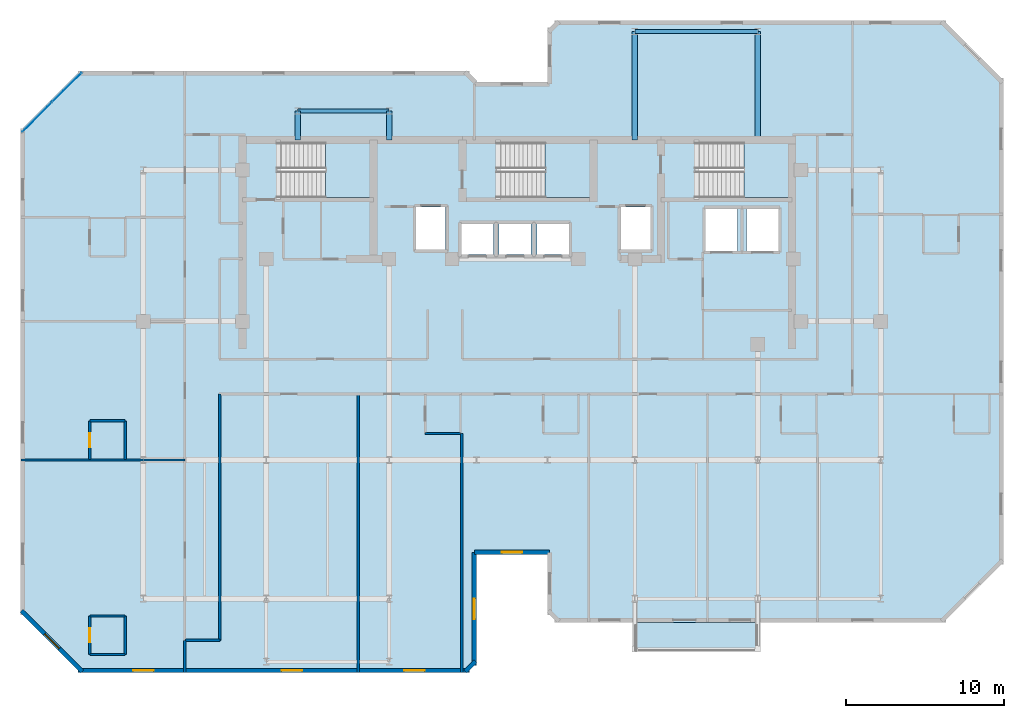
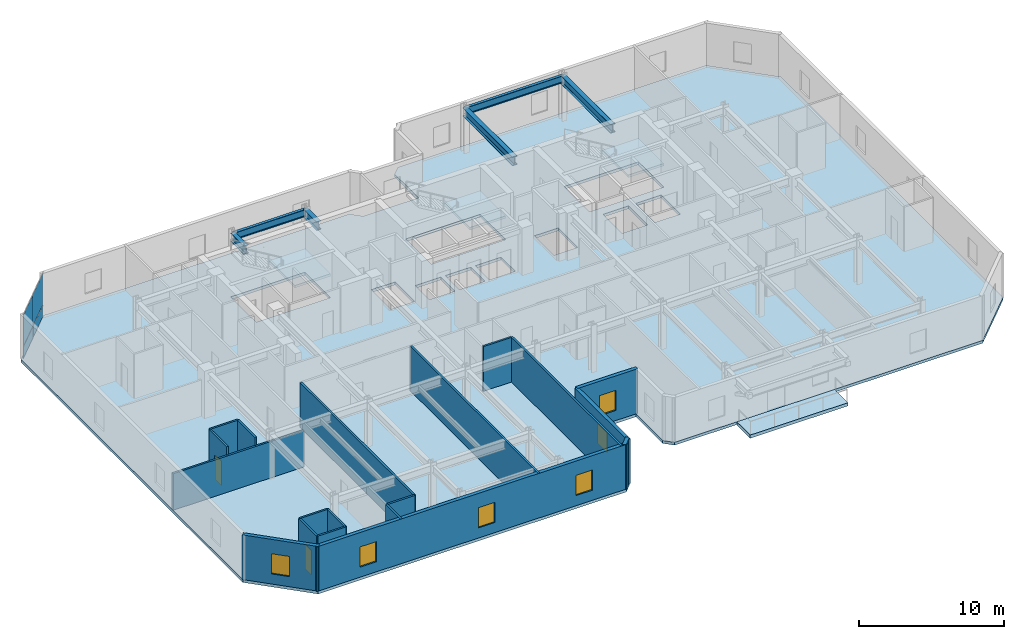
# One storey, part 3 of 11: 19 walls, 6 beams, 6 windows, 5 slabs, 4 plates, 2 doors, 8 openings, 4 elements without a shape of their own.
"""IFC4 building model written with IfcOpenShell, lengths in metres."""

from ifc_helpers import new_model, si_unit, direction, frame, frame_2d, origin, origin_2d, place, context, subcontext, project, spatial, polyline, rectangle, i_section, outline, extrude, material, layer, layer_set, material_profile, profile_set, type_object, element, fill, aggregate, save


model = new_model("IFC4")

# Units and contexts
model_context = context("Model", 3, precision=1e-05, world=origin(), true_north=direction((0.0, 1.0)))
body_context = subcontext(model_context, "Body", "Model", "MODEL_VIEW")
ifc_project = project(units=[si_unit("LENGTHUNIT", "METRE"), si_unit("AREAUNIT", "SQUARE_METRE"), si_unit("VOLUMEUNIT", "CUBIC_METRE"), si_unit("PLANEANGLEUNIT", "RADIAN"), si_unit("MASSUNIT", "GRAM", prefix="KILO")], contexts=[model_context])

# Site, building, storey
site_placement = place(None, origin())
site = spatial("IfcSite", under=ifc_project, at=site_placement, CompositionType="ELEMENT")
building_placement = place(site_placement, origin())
building = spatial("IfcBuilding", under=site, at=building_placement, Name="Kestravale Grand Hotel", CompositionType="ELEMENT")
storey_placement = place(building_placement, frame((0.0, 0.0, 265.39990234375)))
storey = spatial("IfcBuildingStorey", under=building, at=storey_placement, Name="L66", CompositionType="ELEMENT", Elevation=265.39990234375)

# Beams
ifc_material_1 = material(Name="Steel ASTM A992 Grade 50", Category="steel")
ifc_material_profile_1 = material_profile(ifc_material_1, i_section(OverallWidth=0.22900390625, OverallDepth=0.612060546875, WebThickness=0.011962890625, FlangeThickness=0.01953125, FilletRadius=0.019287109375, at=origin_2d()))
ifc_profile_set_1 = profile_set([ifc_material_profile_1], Name="Steel ASTM A992 Grade 50")
beam_type_1 = type_object("IfcBeamType", Name="B-FLR-W24B", PredefinedType="SPANDREL", material=ifc_profile_set_1)
beam_1_placement = place(storey_placement, frame((46.800048828125, 47.199951171875, 3.4541015625), z_axis=(1.0, 0.0, 0.0), x_axis=(0.0, 1.0, 0.0)))
element("IfcBeam", 1, at=beam_1_placement, inside=storey, type_object=beam_type_1, Name="L66 spandrel G:8-9", PredefinedType="SPANDREL", context=body_context, shape_type="SweptSolid", body=[
    extrude(i_section(OverallWidth=0.22900390625, OverallDepth=0.612060546875, WebThickness=0.011962890625, FlangeThickness=0.01953125, FilletRadius=0.019287109375, at=origin_2d()), origin(), (0.0, 0.0, 1.0), 7.800048828125),
])
beam_2_placement = place(storey_placement, frame((25.39990234375, 42.14990234375, 3.4541015625), z_axis=(1.0, 0.0, 0.0), x_axis=(0.0, 1.0, 0.0)))
element("IfcBeam", 2, at=beam_2_placement, inside=storey, type_object=beam_type_1, Name="L66 perimeter tie spandrel FN:4-5", PredefinedType="SPANDREL", context=body_context, shape_type="SweptSolid", body=[
    extrude(i_section(OverallWidth=0.22900390625, OverallDepth=0.612060546875, WebThickness=0.011962890625, FlangeThickness=0.01953125, FilletRadius=0.019287109375, at=origin_2d()), origin(), (0.0, 0.0, 1.0), 5.800048828125),
])
ifc_material_2 = material(Name="Steel ASTM A992 Grade 50", Category="steel")
ifc_material_profile_2 = material_profile(ifc_material_2, i_section(OverallWidth=0.35595703125, OverallDepth=0.696044921875, WebThickness=0.015380859375, FlangeThickness=0.02490234375, FilletRadius=0.021240234375, at=origin_2d()))
ifc_profile_set_2 = profile_set([ifc_material_profile_2], Name="Steel ASTM A992 Grade 50")
beam_type_2 = type_object("IfcBeamType", Name="B-GRD-W27", PredefinedType="BEAM", material=ifc_profile_set_2)
for number, where, z_axis, x_axis, name in (
    (3, (25.39990234375, 40.320068359375, 3.412109375), (0.0, 1.0, 0.0), (-1.0, 0.0, 0.0), "L66 north wing tie girder 4:CN-FN"),
    (4, (31.199951171875, 40.320068359375, 3.412109375), (0.0, 1.0, 0.0), (-1.0, 0.0, 0.0), "L66 north wing tie girder 5:CN-FN"),
):
    element("IfcBeam", number, at=place(storey_placement, frame(where, z_axis=z_axis, x_axis=x_axis)), inside=storey, type_object=beam_type_2, Name=name, PredefinedType="BEAM", context=body_context, shape_type="SweptSolid", body=[
        extrude(i_section(OverallWidth=0.35595703125, OverallDepth=0.696044921875, WebThickness=0.015380859375, FlangeThickness=0.02490234375, FilletRadius=0.021240234375, at=origin_2d()), origin(), (0.0, 0.0, 1.0), 1.829833984375),
    ])
for number, where, z_axis, x_axis, name in (
    (5, (46.800048828125, 40.320068359375, 3.412109375), (0.0, 1.0, 0.0), (-1.0, 0.0, 0.0), "L66 north wing tie girder 8:CN-G"),
    (6, (54.60009765625, 40.320068359375, 3.412109375), (0.0, 1.0, 0.0), (-1.0, 0.0, 0.0), "L66 north wing tie girder 9:CN-G"),
):
    element("IfcBeam", number, at=place(storey_placement, frame(where, z_axis=z_axis, x_axis=x_axis)), inside=storey, type_object=beam_type_2, Name=name, PredefinedType="BEAM", context=body_context, shape_type="SweptSolid", body=[
        extrude(i_section(OverallWidth=0.35595703125, OverallDepth=0.696044921875, WebThickness=0.015380859375, FlangeThickness=0.02490234375, FilletRadius=0.021240234375, at=origin_2d()), origin(), (0.0, 0.0, 1.0), 6.8798828125),
    ])

# Curtain wall, plates
ifc_material_3 = material(Name="Thermally broken champagne-bronze aluminium and low-E glazing", Category="aluminium")
ifc_layer_1 = layer(ifc_material_3, 0.179931640625)
ifc_layer_set_1 = layer_set([ifc_layer_1], Name="CW-Z4")
curtain_wall_type = type_object("IfcCurtainWallType", Name="CW-Z4", PredefinedType="NOTDEFINED", material=ifc_layer_set_1)
curtain_wall_placement = place(storey_placement, origin())
curtain_wall = element("IfcCurtainWall", 7, at=curtain_wall_placement, inside=storey, type_object=curtain_wall_type, Name="L66 unitised curtain wall 18", PredefinedType="NOTDEFINED")
ifc_material_4 = material(Name="Insulated clear low-E double glazing IGU", Category="glass")
ifc_layer_2 = layer(ifc_material_4, 0.028076171875)
ifc_layer_set_2 = layer_set([ifc_layer_2], Name="CW-PNL-28")
plate_type = type_object("IfcPlateType", Name="CW-PNL-28", PredefinedType="CURTAIN_PANEL", material=ifc_layer_set_2)
plate_1_placement = place(storey_placement, frame((10.74462890625, 43.646728515625, 0.06494140625), z_axis=(0.0, 0.0, 1.0), x_axis=(-0.707106781187, -0.707106781187, 0.0)))
plate_1 = element("IfcPlate", 8, at=plate_1_placement, type_object=plate_type, Name="CW-Z4 panel 1.1", PredefinedType="CURTAIN_PANEL", context=body_context, shape_type="SweptSolid", body=[
    extrude(rectangle(XDim=2.609619140625, YDim=0.028076171875, at=origin_2d()), origin(), (0.0, 0.0, 1.0), 0.952392578125),
])
plate_2_placement = place(storey_placement, frame((10.74462890625, 43.646728515625, 1.08251953125), z_axis=(0.0, 0.0, 1.0), x_axis=(-0.707106781187, -0.707106781187, 0.0)))
plate_2 = element("IfcPlate", 9, at=plate_2_placement, type_object=plate_type, Name="CW-Z4 panel 1.2", PredefinedType="CURTAIN_PANEL", context=body_context, shape_type="SweptSolid", body=[
    extrude(rectangle(XDim=2.609619140625, YDim=0.028076171875, at=origin_2d()), origin(), (0.0, 0.0, 1.0), 2.612548828125),
])
plate_3_placement = place(storey_placement, frame((8.853271484375, 41.75537109375, 0.06494140625), z_axis=(0.0, 0.0, 1.0), x_axis=(-0.707106781187, -0.707106781187, 0.0)))
plate_3 = element("IfcPlate", 10, at=plate_3_placement, type_object=plate_type, Name="CW-Z4 panel 2.1", PredefinedType="CURTAIN_PANEL", context=body_context, shape_type="SweptSolid", body=[
    extrude(rectangle(XDim=2.609619140625, YDim=0.028076171875, at=origin_2d()), origin(), (0.0, 0.0, 1.0), 0.952392578125),
])
plate_4_placement = place(storey_placement, frame((8.853271484375, 41.75537109375, 1.08251953125), z_axis=(0.0, 0.0, 1.0), x_axis=(-0.707106781187, -0.707106781187, 0.0)))
plate_4 = element("IfcPlate", 11, at=plate_4_placement, type_object=plate_type, Name="CW-Z4 panel 2.2", PredefinedType="CURTAIN_PANEL", context=body_context, shape_type="SweptSolid", body=[
    extrude(rectangle(XDim=2.609619140625, YDim=0.028076171875, at=origin_2d()), origin(), (0.0, 0.0, 1.0), 2.612548828125),
])
aggregate(curtain_wall, [plate_1, plate_2, plate_3, plate_4])

# Slab
ifc_material_5 = material(Name="Concrete f'c 45 MPa", Category="concrete")
ifc_layer_3 = layer(ifc_material_5, 0.27001953125)
ifc_layer_set_3 = layer_set([ifc_layer_3], Name="ES-TERR-270")
slab_type_1 = type_object("IfcSlabType", Name="ES-TERR-270", PredefinedType="FLOOR", material=ifc_layer_set_3)
slab_1_placement = place(storey_placement, frame((0.0, 0.0, -0.27001953125)))
element("IfcSlab", 12, at=slab_1_placement, inside=storey, type_object=slab_type_1, Name="L66 spiralling planted garden terrace", PredefinedType="FLOOR", context=body_context, shape_type="SweptSolid", body=[
    extrude(outline(polyline([(46.800048828125, 7.85009765625), (54.60009765625, 7.85009765625), (54.60009765625, 9.699951171875), (46.800048828125, 9.699951171875), (46.800048828125, 7.85009765625)])), origin(), (0.0, 0.0, 1.0), 0.27001953125),
])

# Stair, slab
ifc_material_6 = material(Name="Concrete f'c 45 MPa", Category="concrete")
stair_type = type_object("IfcStairType", Name="ST-CORE-400", PredefinedType="HALF_TURN_STAIR", material=ifc_material_6)
stair_1_placement = place(storey_placement, origin())
stair_1 = element("IfcStair", 13, at=stair_1_placement, inside=storey, type_object=stair_type, Name="L66 ST-1", PredefinedType="HALF_TURN_STAIR")
ifc_material_7 = material(Name="Concrete f'c 45 MPa", Category="concrete")
ifc_layer_4 = layer(ifc_material_7, 0.199951171875)
ifc_layer_set_4 = layer_set([ifc_layer_4], Name="SLB-ST-LND200")
slab_type_2 = type_object("IfcSlabType", Name="SLB-ST-LND200", PredefinedType="LANDING", material=ifc_layer_set_4)
slab_2_placement = place(storey_placement, frame((0.0, 0.0, 1.800048828125)))
slab_2 = element("IfcSlab", 14, at=slab_2_placement, type_object=slab_type_2, Name="ST-1 landing 1", PredefinedType="LANDING", context=body_context, shape_type="SweptSolid", body=[
    extrude(outline(polyline([(27.159912109375, 36.64990234375), (30.0, 36.64990234375), (30.0, 40.159912109375), (27.159912109375, 40.159912109375), (27.159912109375, 36.64990234375)])), origin(), (0.0, 0.0, 1.0), 0.199951171875),
])
aggregate(stair_1, [slab_2])

stair_2_placement = place(storey_placement, origin())
stair_2 = element("IfcStair", 15, at=stair_2_placement, inside=storey, type_object=stair_type, Name="L66 ST-2", PredefinedType="HALF_TURN_STAIR")
slab_3_placement = place(storey_placement, frame((0.0, 0.0, 1.800048828125)))
slab_3 = element("IfcSlab", 16, at=slab_3_placement, type_object=slab_type_2, Name="ST-2 landing 1", PredefinedType="LANDING", context=body_context, shape_type="SweptSolid", body=[
    extrude(outline(polyline([(41.110107421875, 36.64990234375), (43.949951171875, 36.64990234375), (43.949951171875, 40.159912109375), (41.110107421875, 40.159912109375), (41.110107421875, 36.64990234375)])), origin(), (0.0, 0.0, 1.0), 0.199951171875),
])
aggregate(stair_2, [slab_3])

stair_3_placement = place(storey_placement, origin())
stair_3 = element("IfcStair", 17, at=stair_3_placement, inside=storey, type_object=stair_type, Name="L66 ST-3", PredefinedType="HALF_TURN_STAIR")
slab_4_placement = place(storey_placement, frame((0.0, 0.0, 1.800048828125)))
slab_4 = element("IfcSlab", 18, at=slab_4_placement, type_object=slab_type_2, Name="ST-3 landing 1", PredefinedType="LANDING", context=body_context, shape_type="SweptSolid", body=[
    extrude(outline(polyline([(53.7099609375, 36.64990234375), (56.550048828125, 36.64990234375), (56.550048828125, 40.159912109375), (53.7099609375, 40.159912109375), (53.7099609375, 36.64990234375)])), origin(), (0.0, 0.0, 1.0), 0.199951171875),
])
aggregate(stair_3, [slab_4])

# Slab
ifc_material_8 = material(Name="Concrete f'c 45 MPa", Category="concrete")
ifc_layer_5 = layer(ifc_material_8, 0.239990234375)
ifc_layer_set_5 = layer_set([ifc_layer_5], Name="SS-FLR-240")
slab_type_3 = type_object("IfcSlabType", Name="SS-FLR-240", PredefinedType="FLOOR", material=ifc_layer_set_5)
slab_5_placement = place(storey_placement, frame((0.0, 0.0, -0.239990234375)))
element("IfcSlab", 19, at=slab_5_placement, inside=storey, type_object=slab_type_3, Name="L66 structural floor slab", PredefinedType="FLOOR", context=body_context, shape_type="SweptSolid", body=[
    extrude(outline(polyline([(11.60009765625, 6.5), (36.14990234375, 6.5), (36.75, 7.10009765625), (36.75, 14.0), (41.25, 14.0), (41.25, 10.300048828125), (41.85009765625, 9.699951171875), (66.39990234375, 9.699951171875), (70.199951171875, 13.5), (70.199951171875, 44.10009765625), (66.39990234375, 47.89990234375), (41.85009765625, 47.89990234375), (41.25, 47.300048828125), (41.25, 44.0), (36.75, 44.0), (36.75, 44.10009765625), (36.14990234375, 44.699951171875), (11.60009765625, 44.699951171875), (7.800048828125, 40.89990234375), (7.800048828125, 10.300048828125), (11.60009765625, 6.5)]), holes=[polyline([(24.080078125, 36.64990234375), (30.0, 36.64990234375), (30.0, 40.159912109375), (24.080078125, 40.159912109375), (24.080078125, 36.64990234375)]), polyline([(38.030029296875, 36.64990234375), (43.949951171875, 36.64990234375), (43.949951171875, 40.159912109375), (38.030029296875, 40.159912109375), (38.030029296875, 36.64990234375)]), polyline([(50.6298828125, 36.64990234375), (56.550048828125, 36.64990234375), (56.550048828125, 40.159912109375), (50.6298828125, 40.159912109375), (50.6298828125, 36.64990234375)]), polyline([(35.780029296875, 33.030029296875), (37.820068359375, 33.030029296875), (37.820068359375, 34.969970703125), (35.780029296875, 34.969970703125), (35.780029296875, 33.030029296875)]), polyline([(38.179931640625, 33.030029296875), (40.219970703125, 33.030029296875), (40.219970703125, 34.969970703125), (38.179931640625, 34.969970703125), (38.179931640625, 33.030029296875)]), polyline([(40.580078125, 33.030029296875), (42.6201171875, 33.030029296875), (42.6201171875, 34.969970703125), (40.580078125, 34.969970703125), (40.580078125, 33.030029296875)]), polyline([(32.905029296875, 33.35498046875), (34.794921875, 33.35498046875), (34.794921875, 36.044921875), (32.905029296875, 36.044921875), (32.905029296875, 33.35498046875)]), polyline([(45.905029296875, 33.35498046875), (47.794921875, 33.35498046875), (47.794921875, 36.044921875), (45.905029296875, 36.044921875), (45.905029296875, 33.35498046875)]), polyline([(51.280029296875, 33.280029296875), (53.320068359375, 33.280029296875), (53.320068359375, 35.919921875), (51.280029296875, 35.919921875), (51.280029296875, 33.280029296875)]), polyline([(53.8798828125, 33.280029296875), (55.919921875, 33.280029296875), (55.919921875, 35.919921875), (53.8798828125, 35.919921875), (53.8798828125, 33.280029296875)])]), origin(), (0.0, 0.0, 1.0), 0.239990234375),
])

# Wall, openings, windows
ifc_material_9 = material(Name="Precast concrete f'c 45 MPa", Category="concrete")
ifc_layer_6 = layer(ifc_material_9, 0.280029296875)
ifc_layer_set_6 = layer_set([ifc_layer_6], Name="EW-PREC-280")
wall_type_1 = type_object("IfcWallType", Name="EW-PREC-280", PredefinedType="SOLIDWALL", material=ifc_layer_set_6)
wall_1_placement = place(storey_placement, frame((11.4599609375, 6.639892578125, 0.0), z_axis=(0.0, 0.0, 1.0), x_axis=(1.0, 0.0, 0.0)))
wall_1 = element("IfcWall", 20, at=wall_1_placement, inside=storey, type_object=wall_type_1, Name="L66 fluted precast facade wall 1", PredefinedType="SOLIDWALL", context=body_context, shape_type="SweptSolid", body=[
    extrude(rectangle(XDim=24.830078125, YDim=0.280029296875, at=frame_2d((12.4150390625, 0.0))), origin(), (0.0, 0.0, 1.0), 3.760009765625),
])
opening_1_placement = place(wall_1_placement, frame((3.48828125, 0.0, 0.85009765625)))
opening_1 = element("IfcOpeningElement", 21, at=opening_1_placement, cuts=wall_1, Name="Opening W-GUEST-1300", PredefinedType="OPENING", context=body_context, shape_type="SweptSolid", body=[
    extrude(rectangle(XDim=1.300048828125, YDim=1.699951171875, at=frame_2d((0.64990234375, 0.85009765625))), frame((0.0, 0.14990234375, 0.0), z_axis=(0.0, -1.0, 0.0), x_axis=(1.0, 0.0, 0.0)), (0.0, 0.0, 1.0), 0.300048828125),
])
opening_2_placement = place(wall_1_placement, frame((12.9150390625, 0.0, 0.85009765625)))
opening_2 = element("IfcOpeningElement", 22, at=opening_2_placement, cuts=wall_1, Name="Opening W-GUEST-1300", PredefinedType="OPENING", context=body_context, shape_type="SweptSolid", body=[
    extrude(rectangle(XDim=1.300048828125, YDim=1.699951171875, at=frame_2d((0.64990234375, 0.85009765625))), frame((0.0, 0.14990234375, 0.0), z_axis=(0.0, -1.0, 0.0), x_axis=(1.0, 0.0, 0.0)), (0.0, 0.0, 1.0), 0.300048828125),
])
opening_3_placement = place(wall_1_placement, frame((20.691650390625, 0.0, 0.85009765625)))
opening_3 = element("IfcOpeningElement", 23, at=opening_3_placement, cuts=wall_1, Name="Opening W-GUEST-1300", PredefinedType="OPENING", context=body_context, shape_type="SweptSolid", body=[
    extrude(rectangle(XDim=1.300048828125, YDim=1.699951171875, at=frame_2d((0.64990234375, 0.85009765625))), frame((0.0, 0.14990234375, 0.0), z_axis=(0.0, -1.0, 0.0), x_axis=(1.0, 0.0, 0.0)), (0.0, 0.0, 1.0), 0.300048828125),
])
ifc_material_10 = material(Name="Insulated low-E double glazing in aluminium frame", Category="aluminium")
window_type = type_object("IfcWindowType", Name="W-GUEST-1300", PartitioningType="SINGLE_PANEL", PredefinedType="WINDOW", material=ifc_material_10)
window_1_placement = place(opening_1_placement, origin())
window_1 = element("IfcWindow", 24, at=window_1_placement, inside=storey, type_object=window_type, Name="L66 exterior window 1.1", OverallHeight=1.699951171875, OverallWidth=1.300048828125, PartitioningType="SINGLE_PANEL", PredefinedType="WINDOW", context=body_context, shape_type="SweptSolid", body=[
    extrude(rectangle(XDim=1.300048828125, YDim=1.699951171875, at=frame_2d((0.64990234375, 0.85009765625))), frame((0.0, 0.030029296875, 0.0), z_axis=(0.0, -1.0, 0.0), x_axis=(1.0, 0.0, 0.0)), (0.0, 0.0, 1.0), 0.06005859375),
])
fill(opening_1, window_1)
window_2_placement = place(opening_2_placement, origin())
window_2 = element("IfcWindow", 25, at=window_2_placement, inside=storey, type_object=window_type, Name="L66 exterior window 1.2", OverallHeight=1.699951171875, OverallWidth=1.300048828125, PartitioningType="SINGLE_PANEL", PredefinedType="WINDOW", context=body_context, shape_type="SweptSolid", body=[
    extrude(rectangle(XDim=1.300048828125, YDim=1.699951171875, at=frame_2d((0.64990234375, 0.85009765625))), frame((0.0, 0.030029296875, 0.0), z_axis=(0.0, -1.0, 0.0), x_axis=(1.0, 0.0, 0.0)), (0.0, 0.0, 1.0), 0.06005859375),
])
fill(opening_2, window_2)
window_3_placement = place(opening_3_placement, origin())
window_3 = element("IfcWindow", 26, at=window_3_placement, inside=storey, type_object=window_type, Name="L66 exterior window 1.3", OverallHeight=1.699951171875, OverallWidth=1.300048828125, PartitioningType="SINGLE_PANEL", PredefinedType="WINDOW", context=body_context, shape_type="SweptSolid", body=[
    extrude(rectangle(XDim=1.300048828125, YDim=1.699951171875, at=frame_2d((0.64990234375, 0.85009765625))), frame((0.0, 0.030029296875, 0.0), z_axis=(0.0, -1.0, 0.0), x_axis=(1.0, 0.0, 0.0)), (0.0, 0.0, 1.0), 0.06005859375),
])
fill(opening_3, window_3)

# Wall
wall_2_placement = place(storey_placement, frame((36.022705078125, 6.57080078125, 0.0), z_axis=(0.0, 0.0, 1.0), x_axis=(0.707106781187, 0.707106781187, 0.0)))
element("IfcWall", 27, at=wall_2_placement, inside=storey, type_object=wall_type_1, Name="L66 fluted precast facade wall 2", PredefinedType="SOLIDWALL", context=body_context, shape_type="SweptSolid", body=[
    extrude(rectangle(XDim=0.928466796875, YDim=0.280029296875, at=frame_2d((0.46435546875, 0.0))), origin(), (0.0, 0.0, 1.0), 3.760009765625),
])

# Wall, opening, window
wall_3_placement = place(storey_placement, frame((36.610107421875, 6.9599609375, 0.0), z_axis=(0.0, 0.0, 1.0), x_axis=(0.0, 1.0, 0.0)))
wall_3 = element("IfcWall", 28, at=wall_3_placement, inside=storey, type_object=wall_type_1, Name="L66 fluted precast facade wall 3", PredefinedType="SOLIDWALL", context=body_context, shape_type="SweptSolid", body=[
    extrude(rectangle(XDim=7.179931640625, YDim=0.280029296875, at=frame_2d((3.58984375, 0.0))), origin(), (0.0, 0.0, 1.0), 3.760009765625),
])
opening_4_placement = place(wall_3_placement, frame((2.93994140625, 0.0, 0.85009765625)))
opening_4 = element("IfcOpeningElement", 29, at=opening_4_placement, cuts=wall_3, Name="Opening W-GUEST-1300", PredefinedType="OPENING", context=body_context, shape_type="SweptSolid", body=[
    extrude(rectangle(XDim=1.300048828125, YDim=1.699951171875, at=frame_2d((0.64990234375, 0.85009765625))), frame((0.0, 0.14990234375, 0.0), z_axis=(0.0, -1.0, 0.0), x_axis=(1.0, 0.0, 0.0)), (0.0, 0.0, 1.0), 0.300048828125),
])
window_4_placement = place(opening_4_placement, origin())
window_4 = element("IfcWindow", 30, at=window_4_placement, inside=storey, type_object=window_type, Name="L66 exterior window 3.1", OverallHeight=1.699951171875, OverallWidth=1.300048828125, PartitioningType="SINGLE_PANEL", PredefinedType="WINDOW", context=body_context, shape_type="SweptSolid", body=[
    extrude(rectangle(XDim=1.300048828125, YDim=1.699951171875, at=frame_2d((0.64990234375, 0.85009765625))), frame((0.0, 0.030029296875, 0.0), z_axis=(0.0, -1.0, 0.0), x_axis=(1.0, 0.0, 0.0)), (0.0, 0.0, 1.0), 0.06005859375),
])
fill(opening_4, window_4)

wall_4_placement = place(storey_placement, frame((36.610107421875, 14.139892578125, 0.0), z_axis=(0.0, 0.0, 1.0), x_axis=(1.0, 0.0, 0.0)))
wall_4 = element("IfcWall", 31, at=wall_4_placement, inside=storey, type_object=wall_type_1, Name="L66 fluted precast facade wall 4", PredefinedType="SOLIDWALL", context=body_context, shape_type="SweptSolid", body=[
    extrude(rectangle(XDim=4.77978515625, YDim=0.280029296875, at=frame_2d((2.389892578125, 0.0))), origin(), (0.0, 0.0, 1.0), 3.760009765625),
])
opening_5_placement = place(wall_4_placement, frame((1.739990234375, 0.0, 0.85009765625)))
opening_5 = element("IfcOpeningElement", 32, at=opening_5_placement, cuts=wall_4, Name="Opening W-GUEST-1300", PredefinedType="OPENING", context=body_context, shape_type="SweptSolid", body=[
    extrude(rectangle(XDim=1.300048828125, YDim=1.699951171875, at=frame_2d((0.64990234375, 0.85009765625))), frame((0.0, 0.14990234375, 0.0), z_axis=(0.0, -1.0, 0.0), x_axis=(1.0, 0.0, 0.0)), (0.0, 0.0, 1.0), 0.300048828125),
])
window_5_placement = place(opening_5_placement, origin())
window_5 = element("IfcWindow", 33, at=window_5_placement, inside=storey, type_object=window_type, Name="L66 exterior window 4.1", OverallHeight=1.699951171875, OverallWidth=1.300048828125, PartitioningType="SINGLE_PANEL", PredefinedType="WINDOW", context=body_context, shape_type="SweptSolid", body=[
    extrude(rectangle(XDim=1.300048828125, YDim=1.699951171875, at=frame_2d((0.64990234375, 0.85009765625))), frame((0.0, 0.030029296875, 0.0), z_axis=(0.0, -1.0, 0.0), x_axis=(1.0, 0.0, 0.0)), (0.0, 0.0, 1.0), 0.06005859375),
])
fill(opening_5, window_5)

wall_5_placement = place(storey_placement, frame((7.87060546875, 10.42724609375, 0.0), z_axis=(0.0, 0.0, 1.0), x_axis=(0.707129162587, -0.707084399077, 0.0)))
wall_5 = element("IfcWall", 34, at=wall_5_placement, inside=storey, type_object=wall_type_1, Name="L66 fluted precast facade wall 20", PredefinedType="SOLIDWALL", context=body_context, shape_type="SweptSolid", body=[
    extrude(rectangle(XDim=5.4541015625, YDim=0.280029296875, at=frame_2d((2.72705078125, 0.0))), origin(), (0.0, 0.0, 1.0), 3.760009765625),
])
opening_6_placement = place(wall_5_placement, frame((2.076904296875, 0.0, 0.85009765625)))
opening_6 = element("IfcOpeningElement", 35, at=opening_6_placement, cuts=wall_5, Name="Opening W-GUEST-1300", PredefinedType="OPENING", context=body_context, shape_type="SweptSolid", body=[
    extrude(rectangle(XDim=1.300048828125, YDim=1.699951171875, at=frame_2d((0.64990234375, 0.85009765625))), frame((0.0, 0.14990234375, 0.0), z_axis=(0.0, -1.0, 0.0), x_axis=(1.0, 0.0, 0.0)), (0.0, 0.0, 1.0), 0.300048828125),
])
window_6_placement = place(opening_6_placement, origin())
window_6 = element("IfcWindow", 36, at=window_6_placement, inside=storey, type_object=window_type, Name="L66 exterior window 20.1", OverallHeight=1.699951171875, OverallWidth=1.300048828125, PartitioningType="SINGLE_PANEL", PredefinedType="WINDOW", context=body_context, shape_type="SweptSolid", body=[
    extrude(rectangle(XDim=1.300048828125, YDim=1.699951171875, at=frame_2d((0.64990234375, 0.85009765625))), frame((0.0, 0.030029296875, 0.0), z_axis=(0.0, -1.0, 0.0), x_axis=(1.0, 0.0, 0.0)), (0.0, 0.0, 1.0), 0.06005859375),
])
fill(opening_6, window_6)

# Walls
ifc_material_11 = material(Name="Acoustic fire-rated gypsum board partition", Category="other")
ifc_layer_7 = layer(ifc_material_11, 0.159912109375)
ifc_layer_set_7 = layer_set([ifc_layer_7], Name="IW-CORR-160")
wall_type_2 = type_object("IfcWallType", Name="IW-CORR-160", PredefinedType="PARTITIONING", material=ifc_layer_set_7)
wall_6_placement = place(storey_placement, frame((20.4599609375, 8.550048828125, 0.0), z_axis=(0.0, 0.0, 1.0), x_axis=(0.0, 1.0, 0.0)))
element("IfcWall", 37, at=wall_6_placement, inside=storey, type_object=wall_type_2, Name="W-L66-SW-E", PredefinedType="PARTITIONING", context=body_context, shape_type="SweptSolid", body=[
    extrude(rectangle(XDim=15.639892578125, YDim=0.159912109375, at=frame_2d((7.81982421875, 0.0))), origin(), (0.0, 0.0, 1.0), 3.760009765625),
])
ifc_material_12 = material(Name="Moisture-resistant tile-backer plumbing chase wall", Category="other")
ifc_layer_8 = layer(ifc_material_12, 0.139892578125)
ifc_layer_set_8 = layer_set([ifc_layer_8], Name="IW-PLB-140")
wall_type_3 = type_object("IfcWallType", Name="IW-PLB-140", PredefinedType="PLUMBINGWALL", material=ifc_layer_set_8)
wall_7_placement = place(storey_placement, frame((33.489990234375, 21.679931640625, 0.0), z_axis=(0.0, 0.0, 1.0), x_axis=(1.0, 0.0, 0.0)))
element("IfcWall", 38, at=wall_7_placement, inside=storey, type_object=wall_type_3, Name="W-L66-U01-BS", PredefinedType="PLUMBINGWALL", context=body_context, shape_type="SweptSolid", body=[
    extrude(rectangle(XDim=2.25, YDim=0.139892578125, at=frame_2d((1.125, 0.0))), origin(), (0.0, 0.0, 1.0), 3.760009765625),
])

# Wall, opening, door
wall_8_placement = place(storey_placement, frame((12.199951171875, 7.64990234375, 0.0), z_axis=(0.0, 0.0, 1.0), x_axis=(0.0, 1.0, 0.0)))
wall_8 = element("IfcWall", 39, at=wall_8_placement, inside=storey, type_object=wall_type_3, Name="W-L66-U04-BW", PredefinedType="PLUMBINGWALL", context=body_context, shape_type="SweptSolid", body=[
    extrude(rectangle(XDim=2.4501953125, YDim=0.139892578125, at=frame_2d((1.22509765625, 0.0))), origin(), (0.0, 0.0, 1.0), 3.760009765625),
])
opening_7_placement = place(wall_8_placement, frame((0.784912109375, 0.0, 0.0)))
opening_7 = element("IfcOpeningElement", 40, at=opening_7_placement, cuts=wall_8, Name="Opening D-BATH-880", PredefinedType="OPENING", context=body_context, shape_type="SweptSolid", body=[
    extrude(rectangle(XDim=0.8798828125, YDim=2.050048828125, at=frame_2d((0.43994140625, 1.02490234375))), frame((0.0, 0.079833984375, 0.0), z_axis=(0.0, -1.0, 0.0), x_axis=(1.0, 0.0, 0.0)), (0.0, 0.0, 1.0), 0.159912109375),
])
ifc_material_13 = material(Name="Moisture-sealed walnut en-suite bathroom door", Category="wood")
door_type = type_object("IfcDoorType", Name="D-BATH-880", OperationType="NOTDEFINED", PredefinedType="DOOR", material=ifc_material_13)
door_1_placement = place(opening_7_placement, origin())
door_1 = element("IfcDoor", 41, at=door_1_placement, inside=storey, type_object=door_type, Name="D-L66-U04-BATH", OperationType="SINGLE_SWING_RIGHT", OverallHeight=2.050048828125, OverallWidth=0.8798828125, PredefinedType="DOOR", context=body_context, shape_type="SweptSolid", body=[
    extrude(rectangle(XDim=0.8798828125, YDim=2.050048828125, at=frame_2d((0.43994140625, 1.02490234375))), frame((0.0, 0.02490234375, 0.0), z_axis=(0.0, -1.0, 0.0), x_axis=(1.0, 0.0, 0.0)), (0.0, 0.0, 1.0), 0.050048828125),
])
fill(opening_7, door_1)

# Walls
wall_9_placement = place(storey_placement, frame((14.449951171875, 7.64990234375, 0.0), z_axis=(0.0, 0.0, 1.0), x_axis=(0.0, 1.0, 0.0)))
element("IfcWall", 42, at=wall_9_placement, inside=storey, type_object=wall_type_3, Name="W-L66-U04-BE", PredefinedType="PLUMBINGWALL", context=body_context, shape_type="SweptSolid", body=[
    extrude(rectangle(XDim=2.4501953125, YDim=0.139892578125, at=frame_2d((1.22509765625, 0.0))), origin(), (0.0, 0.0, 1.0), 3.760009765625),
])
for number, where, z_axis, x_axis, name in (
    (43, (12.199951171875, 7.64990234375, 0.0), (0.0, 0.0, 1.0), (1.0, 0.0, 0.0), "W-L66-U04-BS"),
    (44, (12.199951171875, 10.10009765625, 0.0), (0.0, 0.0, 1.0), (1.0, 0.0, 0.0), "W-L66-U04-BN"),
):
    element("IfcWall", number, at=place(storey_placement, frame(where, z_axis=z_axis, x_axis=x_axis)), inside=storey, type_object=wall_type_3, Name=name, PredefinedType="PLUMBINGWALL", context=body_context, shape_type="SweptSolid", body=[
        extrude(rectangle(XDim=2.25, YDim=0.139892578125, at=frame_2d((1.125, 0.0))), origin(), (0.0, 0.0, 1.0), 3.760009765625),
    ])

# Wall, opening, door
wall_10_placement = place(storey_placement, frame((12.199951171875, 20.0400390625, 0.0), z_axis=(0.0, 0.0, 1.0), x_axis=(0.0, 1.0, 0.0)))
wall_10 = element("IfcWall", 45, at=wall_10_placement, inside=storey, type_object=wall_type_3, Name="W-L66-U05-BW", PredefinedType="PLUMBINGWALL", context=body_context, shape_type="SweptSolid", body=[
    extrude(rectangle(XDim=2.449951171875, YDim=0.139892578125, at=frame_2d((1.22509765625, 0.0))), origin(), (0.0, 0.0, 1.0), 3.760009765625),
])
opening_8_placement = place(wall_10_placement, frame((0.784912109375, 0.0, 0.0)))
opening_8 = element("IfcOpeningElement", 46, at=opening_8_placement, cuts=wall_10, Name="Opening D-BATH-880", PredefinedType="OPENING", context=body_context, shape_type="SweptSolid", body=[
    extrude(rectangle(XDim=0.8798828125, YDim=2.050048828125, at=frame_2d((0.43994140625, 1.02490234375))), frame((0.0, 0.079833984375, 0.0), z_axis=(0.0, -1.0, 0.0), x_axis=(1.0, 0.0, 0.0)), (0.0, 0.0, 1.0), 0.159912109375),
])
door_2_placement = place(opening_8_placement, origin())
door_2 = element("IfcDoor", 47, at=door_2_placement, inside=storey, type_object=door_type, Name="D-L66-U05-BATH", OperationType="SINGLE_SWING_RIGHT", OverallHeight=2.050048828125, OverallWidth=0.8798828125, PredefinedType="DOOR", context=body_context, shape_type="SweptSolid", body=[
    extrude(rectangle(XDim=0.8798828125, YDim=2.050048828125, at=frame_2d((0.43994140625, 1.02490234375))), frame((0.0, 0.02490234375, 0.0), z_axis=(0.0, -1.0, 0.0), x_axis=(1.0, 0.0, 0.0)), (0.0, 0.0, 1.0), 0.050048828125),
])
fill(opening_8, door_2)

# Walls
wall_11_placement = place(storey_placement, frame((14.449951171875, 20.0400390625, 0.0), z_axis=(0.0, 0.0, 1.0), x_axis=(0.0, 1.0, 0.0)))
element("IfcWall", 48, at=wall_11_placement, inside=storey, type_object=wall_type_3, Name="W-L66-U05-BE", PredefinedType="PLUMBINGWALL", context=body_context, shape_type="SweptSolid", body=[
    extrude(rectangle(XDim=2.449951171875, YDim=0.139892578125, at=frame_2d((1.22509765625, 0.0))), origin(), (0.0, 0.0, 1.0), 3.760009765625),
])
wall_12_placement = place(storey_placement, frame((12.199951171875, 22.489990234375, 0.0), z_axis=(0.0, 0.0, 1.0), x_axis=(1.0, 0.0, 0.0)))
element("IfcWall", 49, at=wall_12_placement, inside=storey, type_object=wall_type_3, Name="W-L66-U05-BN", PredefinedType="PLUMBINGWALL", context=body_context, shape_type="SweptSolid", body=[
    extrude(rectangle(XDim=2.25, YDim=0.139892578125, at=frame_2d((1.125, 0.0))), origin(), (0.0, 0.0, 1.0), 3.760009765625),
])
ifc_material_14 = material(Name="Double-stud STC 52 acoustic demising partition", Category="other")
ifc_layer_9 = layer(ifc_material_14, 0.14990234375)
ifc_layer_set_9 = layer_set([ifc_layer_9], Name="IW-UNIT-150")
wall_type_4 = type_object("IfcWallType", Name="IW-UNIT-150", PredefinedType="PARTITIONING", material=ifc_layer_set_9)
wall_13_placement = place(storey_placement, frame((18.239990234375, 8.550048828125, 0.0), z_axis=(0.0, 0.0, 1.0), x_axis=(1.0, 0.0, 0.0)))
element("IfcWall", 50, at=wall_13_placement, inside=storey, type_object=wall_type_4, Name="W-L66-SW-S", PredefinedType="PARTITIONING", context=body_context, shape_type="SweptSolid", body=[
    extrude(rectangle(XDim=2.219970703125, YDim=0.14990234375, at=frame_2d((1.10986328125, 0.0))), origin(), (0.0, 0.0, 1.0), 3.760009765625),
])
wall_14_placement = place(storey_placement, frame((29.22998046875, 6.52001953125, 0.0), z_axis=(0.0, 0.0, 1.0), x_axis=(0.0, 1.0, 0.0)))
element("IfcWall", 51, at=wall_14_placement, inside=storey, type_object=wall_type_4, Name="W-L66-WS-1", PredefinedType="PARTITIONING", context=body_context, shape_type="SweptSolid", body=[
    extrude(rectangle(XDim=17.669921875, YDim=0.14990234375, at=frame_2d((8.8349609375, 0.0))), origin(), (0.0, 0.0, 1.0), 3.760009765625),
])
wall_15_placement = place(storey_placement, frame((35.800048828125, 6.52001953125, 0.0), z_axis=(0.0, 0.0, 1.0), x_axis=(0.0, 1.0, 0.0)))
element("IfcWall", 52, at=wall_15_placement, inside=storey, type_object=wall_type_4, Name="W-L66-MID-S", PredefinedType="PARTITIONING", context=body_context, shape_type="SweptSolid", body=[
    extrude(rectangle(XDim=15.159912109375, YDim=0.14990234375, at=frame_2d((7.580078125, 0.0))), origin(), (0.0, 0.0, 1.0), 3.760009765625),
])
wall_16_placement = place(storey_placement, frame((18.239990234375, 6.52001953125, 0.0), z_axis=(0.0, 0.0, 1.0), x_axis=(0.0, 1.0, 0.0)))
element("IfcWall", 53, at=wall_16_placement, inside=storey, type_object=wall_type_4, Name="W-L66-SW-EXT", PredefinedType="PARTITIONING", context=body_context, shape_type="SweptSolid", body=[
    extrude(rectangle(XDim=2.030029296875, YDim=0.14990234375, at=frame_2d((1.01513671875, 0.0))), origin(), (0.0, 0.0, 1.0), 3.760009765625),
])
wall_17_placement = place(storey_placement, frame((7.820068359375, 20.0, 0.0), z_axis=(0.0, 0.0, 1.0), x_axis=(1.0, 0.0, 0.0)))
element("IfcWall", 54, at=wall_17_placement, inside=storey, type_object=wall_type_4, Name="W-L66-WW-1", PredefinedType="PARTITIONING", context=body_context, shape_type="SweptSolid", body=[
    extrude(rectangle(XDim=10.419921875, YDim=0.14990234375, at=frame_2d((5.2099609375, 0.0))), origin(), (0.0, 0.0, 1.0), 3.064208984375),
])

save(model, "model.ifc")
